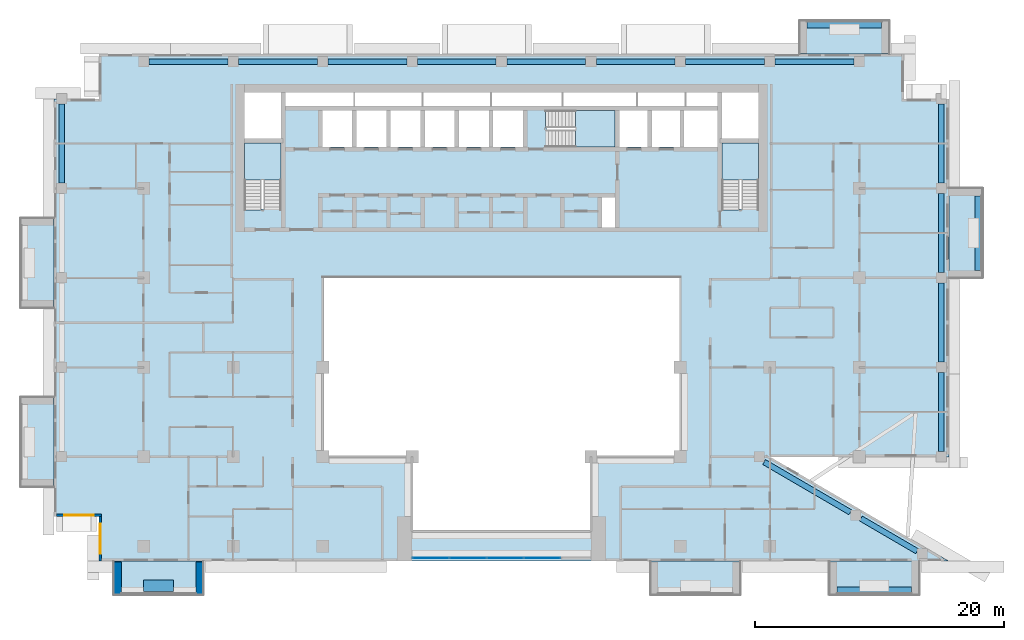
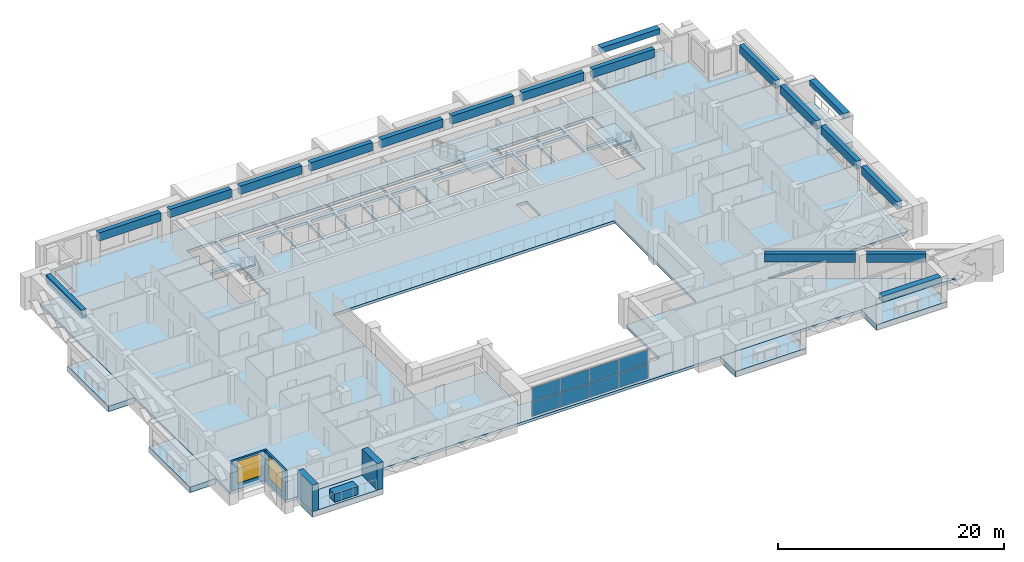
# One storey, part 5 of 20: 18 beams, 11 slabs, 8 plates, 5 walls, 2 windows, 2 openings, 4 elements without a shape of their own.
"""IFC4 building model written with IfcOpenShell, lengths in metres."""

import ifcopenshell
import ifcopenshell.guid

model = None  # the IFC model being written
_history = None  # IfcOwnerHistory: only IFC2X3 demands one
_inside = {}  # id of a spatial element -> (the spatial element, [elements in it])
_under = {}  # id of a project, library or spatial element -> (it, [spatial elements below it])
_declared = {}  # id of a project -> (the project, [libraries it declares])
_typed = {}  # id of a type object -> (the type object, [elements of that type])
_made_of = {}  # id of a material, layer set ... -> (it, [elements and type objects made of it])


def new_model(schema):
    """Start an empty IFC model of exactly this schema.

    Asked for "IFC4X3", IfcOpenShell would pick the latest addendum, in which some entities
    have other attributes; the version numbers below select the first issue.
    IFC2X3 requires an IfcOwnerHistory on every rooted entity: one is made here for all.
    """
    global model, _history
    if schema == "IFC4X3":
        model = ifcopenshell.file(schema_version=(4, 3, 0, 0))
    else:
        model = ifcopenshell.file(schema=schema)
    _inside.clear()
    _under.clear()
    _declared.clear()
    _typed.clear()
    _made_of.clear()
    _history = None
    if model.schema == "IFC2X3":
        org = make("IfcOrganization", Name="unknown")
        user = make(
            "IfcPersonAndOrganization",
            ThePerson=make("IfcPerson", FamilyName="unknown"),
            TheOrganization=org,
        )
        app = make(
            "IfcApplication",
            ApplicationDeveloper=org,
            Version="unknown",
            ApplicationFullName="unknown",
            ApplicationIdentifier="unknown",
        )
        _history = make(
            "IfcOwnerHistory",
            OwningUser=user,
            OwningApplication=app,
            ChangeAction="ADDED",
            CreationDate=0,
        )
    return model


def make(cls, **values):
    """One entity of the class cls with the attributes given. An attribute that is None is left unset."""
    return model.create_entity(
        cls, **{name: value for name, value in values.items() if value is not None}
    )


def rooted(cls, **values):
    """An entity with a GlobalId (a new one), such as an element, a storey or a relation."""
    return make(cls, GlobalId=ifcopenshell.guid.new(), OwnerHistory=_history, **values)


def si_unit(unit_type, name, prefix=None):
    """IfcSIUnit, for example si_unit("LENGTHUNIT", "METRE", prefix="MILLI")."""
    return make("IfcSIUnit", UnitType=unit_type, Prefix=prefix, Name=name)


def assignment(units):
    """IfcUnitAssignment: the units of a project."""
    return None if units is None else make("IfcUnitAssignment", Units=units)


def point(xyz):
    """IfcCartesianPoint."""
    return None if xyz is None else make("IfcCartesianPoint", Coordinates=xyz)


def direction(xyz):
    """IfcDirection."""
    return None if xyz is None else make("IfcDirection", DirectionRatios=xyz)


def frame(location, z_axis=None, x_axis=None):
    """IfcAxis2Placement3D, a coordinate frame: its origin and axes. An axis left out is left unset."""
    return make(
        "IfcAxis2Placement3D",
        Location=point(location),
        Axis=direction(z_axis),
        RefDirection=direction(x_axis),
    )


def frame_2d(location, x_axis=None):
    """IfcAxis2Placement2D, a coordinate frame in the plane: its origin and x axis."""
    return make(
        "IfcAxis2Placement2D", Location=point(location), RefDirection=direction(x_axis)
    )


def origin():
    """The frame at (0, 0, 0) with its axes left unset."""
    return frame((0.0, 0.0, 0.0))


def origin_2d():
    """The frame at (0, 0) in the plane with its x axis left unset."""
    return frame_2d((0.0, 0.0))


def place(relative_to, where):
    """IfcLocalPlacement: puts the frame where relative to a parent placement (None: the world)."""
    return make(
        "IfcLocalPlacement", PlacementRelTo=relative_to, RelativePlacement=where
    )


def context(
    kind, dimensions, precision=None, world=None, true_north=None, identifier=None
):
    """IfcGeometricRepresentationContext, for example the 3D "Model" context."""
    return make(
        "IfcGeometricRepresentationContext",
        ContextIdentifier=identifier,
        ContextType=kind,
        CoordinateSpaceDimension=dimensions,
        Precision=precision,
        WorldCoordinateSystem=world,
        TrueNorth=true_north,
    )


def subcontext(parent, identifier, kind, view, scale=None):
    """IfcGeometricRepresentationSubContext, for example "Body" below "Model"."""
    return make(
        "IfcGeometricRepresentationSubContext",
        ContextIdentifier=identifier,
        ContextType=kind,
        ParentContext=parent,
        TargetScale=scale,
        TargetView=view,
    )


def project(units=None, contexts=None):
    """IfcProject with its units and contexts."""
    return rooted(
        "IfcProject",
        Name="project",
        RepresentationContexts=contexts,
        UnitsInContext=assignment(units),
    )


def spatial(cls, under=None, at=None, **own):
    """A site, building, storey or space (cls), placed at a placement, below another one or the project."""
    s = rooted(cls, ObjectPlacement=at, **own)
    if under is not None:
        _under.setdefault(under.id(), (under, []))[1].append(s)
    return s


def polyline(points):
    """IfcPolyline through the points."""
    return make("IfcPolyline", Points=[point(p) for p in points])


def profile(cls, at=None, kind="AREA", **sizes):
    """A parametric profile (cls). Its sizes go by their IFC names, for example OverallWidth=200.0."""
    return make(cls, ProfileType=kind, Position=at, **sizes)


def rectangle(**sizes):
    """IfcRectangleProfileDef."""
    return profile("IfcRectangleProfileDef", **sizes)


def outline(outer, holes=None, kind="AREA"):
    """IfcArbitraryClosedProfileDef: a profile drawn as a closed curve; with holes, ...WithVoids."""
    if holes is None:
        return make("IfcArbitraryClosedProfileDef", ProfileType=kind, OuterCurve=outer)
    return make(
        "IfcArbitraryProfileDefWithVoids",
        ProfileType=kind,
        OuterCurve=outer,
        InnerCurves=holes,
    )


def extrude(swept, where, along, depth):
    """IfcExtrudedAreaSolid: the profile swept, set in the frame where, extruded along a direction by depth."""
    return make(
        "IfcExtrudedAreaSolid",
        SweptArea=swept,
        Position=where,
        ExtrudedDirection=direction(along),
        Depth=depth,
    )


def shape(context_of_items, identifier, shape_type, items):
    """IfcShapeRepresentation: the items that make up one representation, for example the "Body"."""
    return make(
        "IfcShapeRepresentation",
        ContextOfItems=context_of_items,
        RepresentationIdentifier=identifier,
        RepresentationType=shape_type,
        Items=items,
    )


def source(mapping_origin, context_of_items, identifier, shape_type, items):
    """IfcRepresentationMap: a shape defined once, which mapped items show again and again."""
    return make(
        "IfcRepresentationMap",
        MappingOrigin=mapping_origin,
        MappedRepresentation=shape(context_of_items, identifier, shape_type, items),
    )


def transform(
    local_origin,
    x_axis=None,
    y_axis=None,
    z_axis=None,
    scale=None,
    scale2=None,
    scale3=None,
    uniform=True,
):
    """IfcCartesianTransformationOperator3D, or its non-uniform kind. x_axis, y_axis, z_axis: its Axis1, 2, 3."""
    if uniform:
        return make(
            "IfcCartesianTransformationOperator3D",
            Axis1=direction(x_axis),
            Axis2=direction(y_axis),
            LocalOrigin=point(local_origin),
            Scale=scale,
            Axis3=direction(z_axis),
        )
    return make(
        "IfcCartesianTransformationOperator3DnonUniform",
        Axis1=direction(x_axis),
        Axis2=direction(y_axis),
        LocalOrigin=point(local_origin),
        Scale=scale,
        Axis3=direction(z_axis),
        Scale2=scale2,
        Scale3=scale3,
    )


def mapped(mapping_source, mapping_target):
    """IfcMappedItem: shows the shape of a source again, moved by a transform."""
    return make(
        "IfcMappedItem", MappingSource=mapping_source, MappingTarget=mapping_target
    )


def material(Name=None, Category=None):
    """IfcMaterial."""
    return make("IfcMaterial", Name=Name, Category=Category)


def layer(
    of_material, thickness, ventilated=None, Name=None, Category=None, Priority=None
):
    """IfcMaterialLayer: one layer of a wall or slab, of a material (None: an air gap)."""
    return make(
        "IfcMaterialLayer",
        Material=of_material,
        LayerThickness=thickness,
        IsVentilated=ventilated,
        Name=Name,
        Category=Category,
        Priority=Priority,
    )


def layer_set(layers, Name=None):
    """IfcMaterialLayerSet."""
    return make("IfcMaterialLayerSet", MaterialLayers=layers, LayerSetName=Name)


def material_profile(
    of_material, cross_section, Name=None, Category=None, Priority=None
):
    """IfcMaterialProfile: a cross section and its material."""
    return make(
        "IfcMaterialProfile",
        Name=Name,
        Material=of_material,
        Profile=cross_section,
        Priority=Priority,
        Category=Category,
    )


def profile_set(profiles, Name=None, composite=None):
    """IfcMaterialProfileSet."""
    return make(
        "IfcMaterialProfileSet",
        Name=Name,
        MaterialProfiles=profiles,
        CompositeProfile=composite,
    )


def made_of(thing, what):
    """Note that an element or type object is made of a material, layer set ...; save() writes the relation."""
    if what is not None:
        _made_of.setdefault(what.id(), (what, []))[1].append(thing)
    return thing


def type_object(cls, material=None, **own):
    """A type object (cls), such as IfcWallType, which elements share."""
    return made_of(rooted(cls, **own), material)


def element(
    cls,
    number,
    at=None,
    inside=None,
    cuts=None,
    type_object=None,
    material=None,
    context=None,
    identifier="Body",
    shape_type=None,
    held_by="IfcProductDefinitionShape",
    body=None,
    shapes=None,
    **own,
):
    """One element of the class cls, such as IfcWall. Its Tag is "e" and its number.

    at: its placement. inside: the storey or other place that contains it. cuts: it is an
    opening in that element (IfcRelVoidsElement). A single representation is given by context,
    identifier, shape_type and body (its items); several are given by shapes. held_by: the class
    of the entity that holds the representations. save() writes the other relations.
    """
    e = rooted(cls, Tag="e%d" % number, ObjectPlacement=at, **own)
    if body is not None:
        shapes = [shape(context, identifier, shape_type, body)]
    if shapes is not None:
        e.Representation = make(held_by, Representations=shapes)
    if inside is not None:
        _inside.setdefault(inside.id(), (inside, []))[1].append(e)
    if cuts is not None:
        rooted(
            "IfcRelVoidsElement", RelatingBuildingElement=cuts, RelatedOpeningElement=e
        )
    if type_object is not None:
        _typed.setdefault(type_object.id(), (type_object, []))[1].append(e)
    return made_of(e, material)


def fill(opening, filler):
    """IfcRelFillsElement: the door or window that sits in an opening."""
    return rooted(
        "IfcRelFillsElement",
        RelatingOpeningElement=opening,
        RelatedBuildingElement=filler,
    )


def aggregate(whole, parts):
    """IfcRelAggregates: a whole, such as a stair, and the parts it consists of."""
    return rooted("IfcRelAggregates", RelatingObject=whole, RelatedObjects=parts)


def save(model, path):
    """Write the relations noted so far, then the file.

    IfcRelAggregates (storeys below a building ...), IfcRelContainedInSpatialStructure (elements
    in a storey), IfcRelDefinesByType, IfcRelAssociatesMaterial and IfcRelDeclares: one each for
    every whole, place, type object, material and project.
    """
    for whole, parts in _under.values():
        aggregate(whole, parts)
    for where, things in _inside.values():
        rooted(
            "IfcRelContainedInSpatialStructure",
            RelatedElements=things,
            RelatingStructure=where,
        )
    for kind, things in _typed.values():
        rooted("IfcRelDefinesByType", RelatedObjects=things, RelatingType=kind)
    for what, things in _made_of.values():
        rooted("IfcRelAssociatesMaterial", RelatedObjects=things, RelatingMaterial=what)
    for by, libraries in _declared.values():
        rooted("IfcRelDeclares", RelatingContext=by, RelatedDefinitions=libraries)
    model.write(path)


model = new_model("IFC4")

# Units and contexts
model_context = context("Model", 3, precision=1e-05, world=origin(), true_north=direction((0.0, 1.0)))
body_context = subcontext(model_context, "Body", "Model", "MODEL_VIEW")
ifc_project = project(units=[si_unit("LENGTHUNIT", "METRE"), si_unit("AREAUNIT", "SQUARE_METRE"), si_unit("VOLUMEUNIT", "CUBIC_METRE"), si_unit("PLANEANGLEUNIT", "RADIAN"), si_unit("MASSUNIT", "GRAM", prefix="KILO")], contexts=[model_context])

# Site, building, storey
site_placement = place(None, origin())
site = spatial("IfcSite", under=ifc_project, at=site_placement, CompositionType="ELEMENT")
building_placement = place(site_placement, origin())
building = spatial("IfcBuilding", under=site, at=building_placement, Name="Saffron Iwan Residences", CompositionType="ELEMENT")
storey_placement = place(building_placement, frame((0.0, 0.0, 157.0)))
storey = spatial("IfcBuildingStorey", under=building, at=storey_placement, Name="L41", CompositionType="ELEMENT", Elevation=157.0)

# Beams
ifc_material_1 = material(Name="Concrete C50/60", Category="concrete")
ifc_material_profile_1 = material_profile(ifc_material_1, rectangle(XDim=0.449951171875, YDim=0.89990234375, at=origin_2d()), Name="RC 450x900")
ifc_profile_set_1 = profile_set([ifc_material_profile_1], Name="Concrete C50/60")
beam_type_1 = type_object("IfcBeamType", Name="SPANDREL BEAM RC 450x900 C50/60 TOP 3200", PredefinedType="SPANDREL", material=ifc_profile_set_1)
shared_shape_1 = source(origin(), body_context, "Body", "SweptSolid", [
    extrude(rectangle(XDim=0.449951171875, YDim=0.89990234375, at=origin_2d()), origin(), (0.0, 0.0, 1.0), 5.24267578125),
])
beam_1_placement = place(storey_placement, frame((79.32275390625, 43.03369140625, 2.75), z_axis=(0.863783967805, -0.503862339299, 0.0), x_axis=(0.503862339299, 0.863783967805, 0.0)))
element("IfcBeam", 1, at=beam_1_placement, inside=storey, type_object=beam_type_1, Name="Spandrel beam", PredefinedType="SPANDREL", context=body_context, shape_type="MappedRepresentation", body=[
    mapped(shared_shape_1, transform((0.0, 0.0, 0.0))),
])
shared_shape_2 = source(origin(), body_context, "Body", "SweptSolid", [
    extrude(rectangle(XDim=0.449951171875, YDim=0.89990234375, at=origin_2d()), origin(), (0.0, 0.0, 1.0), 8.028564453125),
])
beam_2_placement = place(storey_placement, frame((71.537841796875, 47.574951171875, 2.75), z_axis=(0.863773386225, -0.503880479132, 0.0), x_axis=(0.503880479132, 0.863773386225, 0.0)))
element("IfcBeam", 2, at=beam_2_placement, inside=storey, type_object=beam_type_1, Name="Spandrel beam", PredefinedType="SPANDREL", context=body_context, shape_type="MappedRepresentation", body=[
    mapped(shared_shape_2, transform((0.0, 0.0, 0.0))),
])
shared_shape_3 = source(origin(), body_context, "Body", "SweptSolid", [
    extrude(rectangle(XDim=0.449951171875, YDim=0.89990234375, at=origin_2d()), origin(), (0.0, 0.0, 1.0), 6.349853515625),
])
for number, where, z_axis, x_axis, name in (
    (3, (85.800048828125, 54.77490234375, 2.75), (0.0, -1.0, 0.0), (1.0, 0.0, 0.0), "Spandrel beam"),
    (4, (29.22509765625, 79.800048828125, 2.75), (1.0, 0.0, 0.0), (0.0, 1.0, 0.0), "Spandrel beam"),
    (5, (36.425048828125, 79.800048828125, 2.75), (1.0, 0.0, 0.0), (0.0, 1.0, 0.0), "Spandrel beam"),
    (6, (65.22509765625, 79.800048828125, 2.75), (1.0, 0.0, 0.0), (0.0, 1.0, 0.0), "Spandrel beam"),
    (7, (72.425048828125, 79.800048828125, 2.75), (1.0, 0.0, 0.0), (0.0, 1.0, 0.0), "Spandrel beam"),
):
    element("IfcBeam", number, at=place(storey_placement, frame(where, z_axis=z_axis, x_axis=x_axis)), inside=storey, type_object=beam_type_1, Name=name, PredefinedType="SPANDREL", context=body_context, shape_type="MappedRepresentation", body=[
        mapped(shared_shape_3, transform((0.0, 0.0, 0.0))),
    ])
shared_shape_4 = source(origin(), body_context, "Body", "SweptSolid", [
    extrude(rectangle(XDim=0.449951171875, YDim=0.89990234375, at=origin_2d()), origin(), (0.0, 0.0, 1.0), 6.35009765625),
])
for number, where, z_axis, x_axis, name in (
    (8, (85.800048828125, 61.97509765625, 2.75), (0.0, -1.0, 0.0), (1.0, 0.0, 0.0), "Spandrel beam"),
    (9, (85.800048828125, 69.175048828125, 2.75), (0.0, -1.0, 0.0), (1.0, 0.0, 0.0), "Spandrel beam"),
    (10, (15.0, 70.02490234375, 2.75), (0.0, 1.0, 0.0), (-1.0, 0.0, 0.0), "Spandrel beam"),
    (11, (85.800048828125, 76.375, 2.75), (0.0, -1.0, 0.0), (1.0, 0.0, 0.0), "Spandrel beam"),
    (12, (22.02490234375, 79.800048828125, 2.75), (1.0, 0.0, 0.0), (0.0, 1.0, 0.0), "Spandrel beam"),
    (13, (43.625, 79.800048828125, 2.75), (1.0, 0.0, 0.0), (0.0, 1.0, 0.0), "Spandrel beam"),
    (14, (50.824951171875, 79.800048828125, 2.75), (1.0, 0.0, 0.0), (0.0, 1.0, 0.0), "Spandrel beam"),
    (15, (58.02490234375, 79.800048828125, 2.75), (1.0, 0.0, 0.0), (0.0, 1.0, 0.0), "Spandrel beam"),
):
    element("IfcBeam", number, at=place(storey_placement, frame(where, z_axis=z_axis, x_axis=x_axis)), inside=storey, type_object=beam_type_1, Name=name, PredefinedType="SPANDREL", context=body_context, shape_type="MappedRepresentation", body=[
        mapped(shared_shape_4, transform((0.0, 0.0, 0.0))),
    ])
ifc_material_2 = material(Name="Concrete C50/60 white painted", Category="concrete")
ifc_material_profile_2 = material_profile(ifc_material_2, rectangle(XDim=0.60009765625, YDim=0.60009765625, at=origin_2d()), Name="BALCONY FASCIA BEAM 600 x 600")
ifc_profile_set_2 = profile_set([ifc_material_profile_2], Name="Concrete C50/60 white painted")
beam_type_2 = type_object("IfcBeamType", Name="BALCONY FASCIA BEAM 600 x 600", PredefinedType="BEAM", material=ifc_profile_set_2)
shared_shape_5 = source(origin(), body_context, "Body", "SweptSolid", [
    extrude(rectangle(XDim=0.60009765625, YDim=0.60009765625, at=origin_2d()), origin(), (0.0, 0.0, 1.0), 6.0),
])
for number, where, z_axis, x_axis, name in (
    (16, (88.800048828125, 63.0, 2.550048828125), (0.0, 1.0, 0.0), (-1.0, 0.0, 0.0), "Balcony fascia beam L41 F2-0"),
    (17, (81.0, 82.800048828125, 2.550048828125), (-1.0, 0.0, 0.0), (0.0, -1.0, 0.0), "Balcony fascia beam L41 F5-0"),
    (18, (77.39990234375, 37.199951171875, 2.550048828125), (1.0, 0.0, 0.0), (0.0, 1.0, 0.0), "Balcony fascia beam L41 11-3"),
):
    element("IfcBeam", number, at=place(storey_placement, frame(where, z_axis=z_axis, x_axis=x_axis)), inside=storey, type_object=beam_type_2, Name=name, PredefinedType="BEAM", context=body_context, shape_type="MappedRepresentation", body=[
        mapped(shared_shape_5, transform((0.0, 0.0, 0.0))),
    ])

# Slabs
ifc_layer_1 = layer(ifc_material_2, 0.60009765625)
ifc_layer_set_1 = layer_set([ifc_layer_1], Name="Concrete C50/60 white painted")
slab_type_1 = type_object("IfcSlabType", Name="BALCONY FRAME SLAB 600", PredefinedType="FLOOR", material=ifc_layer_set_1)
slab_1_placement = place(storey_placement, frame((0.0, 0.0, -0.60009765625)))
element("IfcSlab", 19, at=slab_1_placement, inside=storey, type_object=slab_type_1, Name="Balcony frame slab L41 F2-0", PredefinedType="FLOOR", context=body_context, shape_type="SweptSolid", body=[
    extrude(outline(polyline([(89.10009765625, 62.39990234375), (89.10009765625, 69.60009765625), (86.39990234375, 69.60009765625), (86.39990234375, 62.39990234375), (89.10009765625, 62.39990234375)])), origin(), (0.0, 0.0, 1.0), 0.60009765625),
])
slab_2_placement = place(storey_placement, frame((0.0, 0.0, -0.60009765625)))
element("IfcSlab", 20, at=slab_2_placement, inside=storey, type_object=slab_type_1, Name="Balcony frame slab L41 F5-0", PredefinedType="FLOOR", context=body_context, shape_type="SweptSolid", body=[
    extrude(outline(polyline([(81.60009765625, 83.10009765625), (74.39990234375, 83.10009765625), (74.39990234375, 80.39990234375), (81.60009765625, 80.39990234375), (81.60009765625, 83.10009765625)])), origin(), (0.0, 0.0, 1.0), 0.60009765625),
])
slab_3_placement = place(storey_placement, frame((0.0, 0.0, -0.60009765625)))
element("IfcSlab", 21, at=slab_3_placement, inside=storey, type_object=slab_type_1, Name="Balcony frame slab L41 F8-0", PredefinedType="FLOOR", context=body_context, shape_type="SweptSolid", body=[
    extrude(outline(polyline([(11.699951171875, 67.199951171875), (11.699951171875, 60.0), (14.39990234375, 60.0), (14.39990234375, 67.199951171875), (11.699951171875, 67.199951171875)])), origin(), (0.0, 0.0, 1.0), 0.60009765625),
])
slab_4_placement = place(storey_placement, frame((0.0, 0.0, -0.60009765625)))
element("IfcSlab", 22, at=slab_4_placement, inside=storey, type_object=slab_type_1, Name="Balcony frame slab L41 F8-1", PredefinedType="FLOOR", context=body_context, shape_type="SweptSolid", body=[
    extrude(outline(polyline([(11.699951171875, 52.800048828125), (11.699951171875, 45.60009765625), (14.39990234375, 45.60009765625), (14.39990234375, 52.800048828125), (11.699951171875, 52.800048828125)])), origin(), (0.0, 0.0, 1.0), 0.60009765625),
])
slab_5_placement = place(storey_placement, frame((0.0, 0.0, -0.60009765625)))
element("IfcSlab", 23, at=slab_5_placement, inside=storey, type_object=slab_type_1, Name="Balcony frame slab L41 11-0", PredefinedType="FLOOR", context=body_context, shape_type="SweptSolid", body=[
    extrude(outline(polyline([(19.199951171875, 36.89990234375), (26.39990234375, 36.89990234375), (26.39990234375, 39.60009765625), (19.199951171875, 39.60009765625), (19.199951171875, 36.89990234375)])), origin(), (0.0, 0.0, 1.0), 0.60009765625),
])
slab_6_placement = place(storey_placement, frame((0.0, 0.0, -0.60009765625)))
element("IfcSlab", 24, at=slab_6_placement, inside=storey, type_object=slab_type_1, Name="Balcony frame slab L41 11-2", PredefinedType="FLOOR", context=body_context, shape_type="SweptSolid", body=[
    extrude(outline(polyline([(62.39990234375, 36.89990234375), (69.60009765625, 36.89990234375), (69.60009765625, 39.60009765625), (62.39990234375, 39.60009765625), (62.39990234375, 36.89990234375)])), origin(), (0.0, 0.0, 1.0), 0.60009765625),
])
slab_7_placement = place(storey_placement, frame((0.0, 0.0, -0.60009765625)))
element("IfcSlab", 25, at=slab_7_placement, inside=storey, type_object=slab_type_1, Name="Balcony frame slab L41 11-3", PredefinedType="FLOOR", context=body_context, shape_type="SweptSolid", body=[
    extrude(outline(polyline([(76.800048828125, 36.89990234375), (84.0, 36.89990234375), (84.0, 39.60009765625), (76.800048828125, 39.60009765625), (76.800048828125, 36.89990234375)])), origin(), (0.0, 0.0, 1.0), 0.60009765625),
])
ifc_material_3 = material(Name="Concrete C40/50", Category="concrete")
ifc_layer_2 = layer(ifc_material_3, 0.300048828125)
ifc_layer_set_2 = layer_set([ifc_layer_2], Name="Concrete C40/50")
slab_type_2 = type_object("IfcSlabType", Name="PT PLATE 300 C40/50", PredefinedType="FLOOR", material=ifc_layer_set_2)
slab_8_placement = place(storey_placement, frame((0.0, 0.0, -0.300048828125)))
element("IfcSlab", 26, at=slab_8_placement, inside=storey, type_object=slab_type_2, Name="Floor slab L41", PredefinedType="FLOOR", context=body_context, shape_type="SweptSolid", body=[
    extrude(outline(polyline([(14.39990234375, 43.199951171875), (14.39990234375, 76.800048828125), (18.0, 76.800048828125), (18.0, 80.39990234375), (82.800048828125, 80.39990234375), (82.800048828125, 76.800048828125), (86.39990234375, 76.800048828125), (86.39990234375, 48.0), (72.0, 48.0), (86.39990234375, 39.60009765625), (18.0, 39.60009765625), (18.0, 43.199951171875), (14.39990234375, 43.199951171875)]), holes=[polyline([(64.800048828125, 48.0), (64.800048828125, 62.39990234375), (36.0, 62.39990234375), (36.0, 48.0), (43.199951171875, 48.0), (43.199951171875, 42.0), (57.60009765625, 42.0), (57.60009765625, 48.0), (64.800048828125, 48.0)]), polyline([(29.699951171875, 73.25), (29.699951171875, 67.949951171875), (29.699951171875, 67.8505859375), (31.10009765625, 67.8505859375), (31.10009765625, 67.949951171875), (32.64990234375, 67.949951171875), (32.64990234375, 73.25), (29.699951171875, 73.25)]), polyline([(38.375, 75.875), (35.97509765625, 75.875), (35.97509765625, 72.925048828125), (38.375, 72.925048828125), (38.375, 75.875)]), polyline([(41.125, 75.875), (38.72509765625, 75.875), (38.72509765625, 72.925048828125), (41.125, 72.925048828125), (41.125, 75.875)]), polyline([(43.875, 72.925048828125), (43.875, 75.875), (41.47509765625, 75.875), (41.47509765625, 72.925048828125), (43.875, 72.925048828125)]), polyline([(46.625, 72.925048828125), (46.625, 75.875), (44.22509765625, 75.875), (44.22509765625, 72.925048828125), (46.625, 72.925048828125)]), polyline([(49.375, 75.875), (46.97509765625, 75.875), (46.97509765625, 72.925048828125), (49.375, 72.925048828125), (49.375, 75.875)]), polyline([(52.125, 72.925048828125), (52.125, 75.875), (49.72509765625, 75.875), (49.72509765625, 72.925048828125), (52.125, 72.925048828125)]), polyline([(32.64990234375, 73.60009765625), (32.64990234375, 77.300048828125), (29.699951171875, 77.300048828125), (29.699951171875, 73.60009765625), (32.64990234375, 73.60009765625)]), polyline([(38.5, 77.300048828125), (33.0, 77.300048828125), (33.0, 76.22509765625), (38.5, 76.22509765625), (38.5, 77.300048828125)]), polyline([(44.0, 76.22509765625), (44.0, 77.300048828125), (38.60009765625, 77.300048828125), (38.60009765625, 76.22509765625), (44.0, 76.22509765625)]), polyline([(49.5, 76.22509765625), (49.5, 77.300048828125), (44.10009765625, 77.300048828125), (44.10009765625, 76.22509765625), (49.5, 76.22509765625)]), polyline([(59.550048828125, 68.875), (58.47509765625, 68.875), (58.47509765625, 66.449951171875), (59.550048828125, 66.449951171875), (59.550048828125, 68.875)]), polyline([(68.14990234375, 73.25), (68.14990234375, 67.949951171875), (68.14990234375, 67.8505859375), (69.550048828125, 67.8505859375), (69.550048828125, 67.949951171875), (71.10009765625, 67.949951171875), (71.10009765625, 73.25), (68.14990234375, 73.25)]), polyline([(54.02490234375, 74.47509765625), (54.02490234375, 72.925048828125), (59.550048828125, 72.925048828125), (59.550048828125, 75.875), (54.02490234375, 75.875), (53.925537109375, 75.875), (53.925537109375, 74.47509765625), (54.02490234375, 74.47509765625)]), polyline([(62.14990234375, 72.925048828125), (62.14990234375, 75.875), (59.89990234375, 75.875), (59.89990234375, 72.925048828125), (62.14990234375, 72.925048828125)]), polyline([(64.75, 72.925048828125), (64.75, 75.875), (62.5, 75.875), (62.5, 72.925048828125), (64.75, 72.925048828125)]), polyline([(67.800048828125, 75.875), (65.10009765625, 75.875), (65.10009765625, 72.925048828125), (67.800048828125, 72.925048828125), (67.800048828125, 75.875)]), polyline([(71.10009765625, 73.60009765625), (71.10009765625, 77.300048828125), (68.14990234375, 77.300048828125), (68.14990234375, 73.60009765625), (71.10009765625, 73.60009765625)]), polyline([(55.25, 76.22509765625), (55.25, 77.300048828125), (49.60009765625, 77.300048828125), (49.60009765625, 76.22509765625), (55.25, 76.22509765625)]), polyline([(61.25, 77.300048828125), (55.35009765625, 77.300048828125), (55.35009765625, 76.22509765625), (61.25, 76.22509765625), (61.25, 77.300048828125)]), polyline([(65.14990234375, 76.22509765625), (65.14990234375, 77.300048828125), (61.35009765625, 77.300048828125), (61.35009765625, 76.22509765625), (65.14990234375, 76.22509765625)]), polyline([(67.800048828125, 76.22509765625), (67.800048828125, 77.300048828125), (65.25, 77.300048828125), (65.25, 76.22509765625), (67.800048828125, 76.22509765625)])]), origin(), (0.0, 0.0, 1.0), 0.300048828125),
])

# Stair, slab
stair_type = type_object("IfcStairType", Name="Stair ST-CORE", PredefinedType="HALF_TURN_STAIR", material=ifc_material_1)
stair_1_placement = place(storey_placement, origin())
stair_1 = element("IfcStair", 27, at=stair_1_placement, inside=storey, type_object=stair_type, Name="L41 Exit Stair ST-W", PredefinedType="HALF_TURN_STAIR")
ifc_layer_3 = layer(ifc_material_1, 0.199951171875)
ifc_layer_set_3 = layer_set([ifc_layer_3], Name="Concrete C50/60")
slab_type_3 = type_object("IfcSlabType", Name="Stair landing SL-RC", PredefinedType="LANDING", material=ifc_layer_set_3)
slab_9_placement = place(storey_placement, frame((0.0, 0.0, 1.5498046875)))
slab_9 = element("IfcSlab", 28, at=slab_9_placement, type_object=slab_type_3, Name="ST-W landing 1", PredefinedType="LANDING", context=body_context, shape_type="SweptSolid", body=[
    extrude(outline(polyline([(32.64990234375, 70.280029296875), (32.64990234375, 73.25), (29.699951171875, 73.25), (29.699951171875, 70.280029296875), (32.64990234375, 70.280029296875)])), origin(), (0.0, 0.0, 1.0), 0.2001953125),
])
aggregate(stair_1, [slab_9])

stair_2_placement = place(storey_placement, origin())
stair_2 = element("IfcStair", 29, at=stair_2_placement, inside=storey, type_object=stair_type, Name="L41 Exit Stair ST-C", PredefinedType="HALF_TURN_STAIR")
slab_10_placement = place(storey_placement, frame((0.0, 0.0, 1.5498046875)))
slab_10 = element("IfcSlab", 30, at=slab_10_placement, type_object=slab_type_3, Name="ST-C landing 1", PredefinedType="LANDING", context=body_context, shape_type="SweptSolid", body=[
    extrude(outline(polyline([(56.35498046875, 72.925048828125), (59.550048828125, 72.925048828125), (59.550048828125, 75.875), (56.35498046875, 75.875), (56.35498046875, 72.925048828125)])), origin(), (0.0, 0.0, 1.0), 0.2001953125),
])
aggregate(stair_2, [slab_10])

stair_3_placement = place(storey_placement, origin())
stair_3 = element("IfcStair", 31, at=stair_3_placement, inside=storey, type_object=stair_type, Name="L41 Exit Stair ST-E", PredefinedType="HALF_TURN_STAIR")
slab_11_placement = place(storey_placement, frame((0.0, 0.0, 1.5498046875)))
slab_11 = element("IfcSlab", 32, at=slab_11_placement, type_object=slab_type_3, Name="ST-E landing 1", PredefinedType="LANDING", context=body_context, shape_type="SweptSolid", body=[
    extrude(outline(polyline([(71.10009765625, 70.280029296875), (71.10009765625, 73.25), (68.14990234375, 73.25), (68.14990234375, 70.280029296875), (71.10009765625, 70.280029296875)])), origin(), (0.0, 0.0, 1.0), 0.2001953125),
])
aggregate(stair_3, [slab_11])

# Curtain wall, plates
ifc_material_4 = material(Name="Clear glass, laminated double glazed", Category="glass")
ifc_layer_4 = layer(ifc_material_4, 0.199951171875)
ifc_layer_set_4 = layer_set([ifc_layer_4], Name="Clear glass, laminated double glazed")
curtain_wall_type = type_object("IfcCurtainWallType", Name="CW-B IWAN PORTAL", PredefinedType="NOTDEFINED", material=ifc_layer_set_4)
curtain_wall_placement = place(storey_placement, origin())
curtain_wall = element("IfcCurtainWall", 33, at=curtain_wall_placement, inside=storey, type_object=curtain_wall_type, Name="Iwan portal glazing L41.1", PredefinedType="NOTDEFINED")
ifc_layer_5 = layer(ifc_material_4, 0.028076171875)
ifc_layer_set_5 = layer_set([ifc_layer_5], Name="Clear glass, laminated double glazed")
plate_type = type_object("IfcPlateType", Name="CW-B PANEL 28", PredefinedType="CURTAIN_PANEL", material=ifc_layer_set_5)
shared_shape_6 = source(origin(), body_context, "Body", "SweptSolid", [
    extrude(rectangle(XDim=2.909912109375, YDim=0.028076171875, at=origin_2d()), origin(), (0.0, 0.0, 1.0), 1.510009765625),
])
plate_1_placement = place(storey_placement, frame((44.715087890625, 39.85009765625, 0.06005859375), z_axis=(0.0, 0.0, 1.0), x_axis=(1.0, 0.0, 0.0)))
plate_1 = element("IfcPlate", 34, at=plate_1_placement, type_object=plate_type, Name="CW-B panel 1.1", PredefinedType="CURTAIN_PANEL", context=body_context, shape_type="MappedRepresentation", body=[
    mapped(shared_shape_6, transform((0.0, 0.0, 0.0))),
])
plate_2_placement = place(storey_placement, frame((44.715087890625, 39.85009765625, 1.6298828125), z_axis=(0.0, 0.0, 1.0), x_axis=(1.0, 0.0, 0.0)))
plate_2 = element("IfcPlate", 35, at=plate_2_placement, type_object=plate_type, Name="CW-B panel 1.2", PredefinedType="CURTAIN_PANEL", context=body_context, shape_type="MappedRepresentation", body=[
    mapped(shared_shape_6, transform((0.0, 0.0, 0.0))),
])
plate_3_placement = place(storey_placement, frame((53.68505859375, 39.85009765625, 0.06005859375), z_axis=(0.0, 0.0, 1.0), x_axis=(1.0, 0.0, 0.0)))
plate_3 = element("IfcPlate", 36, at=plate_3_placement, type_object=plate_type, Name="CW-B panel 4.1", PredefinedType="CURTAIN_PANEL", context=body_context, shape_type="MappedRepresentation", body=[
    mapped(shared_shape_6, transform((0.0, 0.0, 0.0))),
])
plate_4_placement = place(storey_placement, frame((53.68505859375, 39.85009765625, 1.6298828125), z_axis=(0.0, 0.0, 1.0), x_axis=(1.0, 0.0, 0.0)))
plate_4 = element("IfcPlate", 37, at=plate_4_placement, type_object=plate_type, Name="CW-B panel 4.2", PredefinedType="CURTAIN_PANEL", context=body_context, shape_type="MappedRepresentation", body=[
    mapped(shared_shape_6, transform((0.0, 0.0, 0.0))),
])
shared_shape_7 = source(origin(), body_context, "Body", "SweptSolid", [
    extrude(rectangle(XDim=2.93994140625, YDim=0.028076171875, at=origin_2d()), origin(), (0.0, 0.0, 1.0), 1.510009765625),
])
plate_5_placement = place(storey_placement, frame((47.699951171875, 39.85009765625, 0.06005859375), z_axis=(0.0, 0.0, 1.0), x_axis=(1.0, 0.0, 0.0)))
plate_5 = element("IfcPlate", 38, at=plate_5_placement, type_object=plate_type, Name="CW-B panel 2.1", PredefinedType="CURTAIN_PANEL", context=body_context, shape_type="MappedRepresentation", body=[
    mapped(shared_shape_7, transform((0.0, 0.0, 0.0))),
])
plate_6_placement = place(storey_placement, frame((47.699951171875, 39.85009765625, 1.6298828125), z_axis=(0.0, 0.0, 1.0), x_axis=(1.0, 0.0, 0.0)))
plate_6 = element("IfcPlate", 39, at=plate_6_placement, type_object=plate_type, Name="CW-B panel 2.2", PredefinedType="CURTAIN_PANEL", context=body_context, shape_type="MappedRepresentation", body=[
    mapped(shared_shape_7, transform((0.0, 0.0, 0.0))),
])
plate_7_placement = place(storey_placement, frame((50.699951171875, 39.85009765625, 0.06005859375), z_axis=(0.0, 0.0, 1.0), x_axis=(1.0, 0.0, 0.0)))
plate_7 = element("IfcPlate", 40, at=plate_7_placement, type_object=plate_type, Name="CW-B panel 3.1", PredefinedType="CURTAIN_PANEL", context=body_context, shape_type="MappedRepresentation", body=[
    mapped(shared_shape_7, transform((0.0, 0.0, 0.0))),
])
plate_8_placement = place(storey_placement, frame((50.699951171875, 39.85009765625, 1.6298828125), z_axis=(0.0, 0.0, 1.0), x_axis=(1.0, 0.0, 0.0)))
plate_8 = element("IfcPlate", 41, at=plate_8_placement, type_object=plate_type, Name="CW-B panel 3.2", PredefinedType="CURTAIN_PANEL", context=body_context, shape_type="MappedRepresentation", body=[
    mapped(shared_shape_7, transform((0.0, 0.0, 0.0))),
])
aggregate(curtain_wall, [plate_1, plate_2, plate_5, plate_6, plate_7, plate_8, plate_3, plate_4])

# Walls
ifc_layer_6 = layer(ifc_material_2, 0.60009765625)
ifc_layer_set_6 = layer_set([ifc_layer_6], Name="Concrete C50/60 white painted")
wall_type_1 = type_object("IfcWallType", Name="BALCONY FIN 600", PredefinedType="SOLIDWALL", material=ifc_layer_set_6)
for number, where, z_axis, x_axis, name in (
    (42, (19.5, 39.550048828125, 0.0), (0.0, 0.0, 1.0), (0.0, -1.0, 0.0), "Balcony fin L41 11-0a"),
    (43, (26.10009765625, 39.550048828125, 0.0), (0.0, 0.0, 1.0), (0.0, -1.0, 0.0), "Balcony fin L41 11-0b"),
):
    element("IfcWall", number, at=place(storey_placement, frame(where, z_axis=z_axis, x_axis=x_axis)), inside=storey, type_object=wall_type_1, Name=name, PredefinedType="SOLIDWALL", context=body_context, shape_type="SweptSolid", body=[
        extrude(rectangle(XDim=2.650146484375, YDim=0.60009765625, at=frame_2d((1.3251953125, 0.0))), origin(), (0.0, 0.0, 1.0), 2.85009765625),
    ])
ifc_material_5 = material(Name="Concrete C35/45 white painted", Category="concrete")
ifc_layer_7 = layer(ifc_material_5, 0.14990234375)
ifc_layer_set_7 = layer_set([ifc_layer_7], Name="Concrete C35/45 white painted")
wall_type_2 = type_object("IfcWallType", Name="BALCONY PLANTER", PredefinedType="SOLIDWALL", material=ifc_layer_set_7)
wall_1_placement = place(storey_placement, frame((21.60009765625, 37.625, 0.0), z_axis=(0.0, 0.0, 1.0), x_axis=(1.0, 0.0, 0.0)))
element("IfcWall", 44, at=wall_1_placement, inside=storey, type_object=wall_type_2, Name="PLANTER L41 11-0", PredefinedType="SOLIDWALL", context=body_context, shape_type="SweptSolid", body=[
    extrude(rectangle(XDim=2.39990234375, YDim=0.89990234375, at=frame_2d((1.199951171875, 0.0))), origin(), (0.0, 0.0, 1.0), 0.89990234375),
])

# Wall, opening, window
ifc_layer_8 = layer(ifc_material_3, 0.199951171875)
ifc_layer_set_8 = layer_set([ifc_layer_8], Name="Concrete C40/50")
wall_type_3 = type_object("IfcWallType", Name="EXTERNAL WALL 200", PredefinedType="SOLIDWALL", material=ifc_layer_set_8)
wall_2_placement = place(storey_placement, frame((14.60009765625, 43.300048828125, 0.0), z_axis=(0.0, 0.0, 1.0), x_axis=(1.0, 0.0, 0.0)))
wall_2 = element("IfcWall", 45, at=wall_2_placement, inside=storey, type_object=wall_type_3, Name="External wall L41 F9.0", PredefinedType="SOLIDWALL", context=body_context, shape_type="SweptSolid", body=[
    extrude(rectangle(XDim=3.599853515625, YDim=0.199951171875, at=frame_2d((1.7998046875, 0.0))), origin(), (0.0, 0.0, 1.0), 3.199951171875),
])
opening_1_placement = place(wall_2_placement, frame((0.60009765625, 0.0, 0.60009765625)))
opening_1 = element("IfcOpeningElement", 46, at=opening_1_placement, cuts=wall_2, Name="Opening W1", PredefinedType="OPENING", context=body_context, shape_type="SweptSolid", body=[
    extrude(rectangle(XDim=2.39990234375, YDim=2.39990234375, at=frame_2d((1.199951171875, 1.199951171875))), frame((0.0, 0.10986328125, 0.0), z_axis=(0.0, -1.0, 0.0), x_axis=(1.0, 0.0, 0.0)), (0.0, 0.0, 1.0), 0.219970703125),
])
window_type = type_object("IfcWindowType", Name="WINDOW 2400 x 2400", PartitioningType="DOUBLE_PANEL_VERTICAL", PredefinedType="WINDOW", material=ifc_material_4)
window_1_placement = place(opening_1_placement, origin())
window_1 = element("IfcWindow", 47, at=window_1_placement, inside=storey, type_object=window_type, Name="Window L41 F9.0", OverallHeight=2.39990234375, OverallWidth=2.39990234375, PartitioningType="DOUBLE_PANEL_VERTICAL", PredefinedType="WINDOW", context=body_context, shape_type="SweptSolid", body=[
    extrude(rectangle(XDim=2.39990234375, YDim=2.39990234375, at=frame_2d((1.199951171875, 1.199951171875))), frame((0.0, 0.030029296875, 0.0), z_axis=(0.0, -1.0, 0.0), x_axis=(1.0, 0.0, 0.0)), (0.0, 0.0, 1.0), 0.06005859375),
])
fill(opening_1, window_1)

wall_3_placement = place(storey_placement, frame((18.10009765625, 43.199951171875, 0.0), z_axis=(0.0, 0.0, 1.0), x_axis=(0.0, -1.0, 0.0)))
wall_3 = element("IfcWall", 48, at=wall_3_placement, inside=storey, type_object=wall_type_3, Name="External wall L41 F10.0", PredefinedType="SOLIDWALL", context=body_context, shape_type="SweptSolid", body=[
    extrude(rectangle(XDim=3.599853515625, YDim=0.199951171875, at=frame_2d((1.7998046875, 0.0))), origin(), (0.0, 0.0, 1.0), 3.199951171875),
])
opening_2_placement = place(wall_3_placement, frame((0.60009765625, 0.0, 0.60009765625)))
opening_2 = element("IfcOpeningElement", 49, at=opening_2_placement, cuts=wall_3, Name="Opening W1", PredefinedType="OPENING", context=body_context, shape_type="SweptSolid", body=[
    extrude(rectangle(XDim=2.39990234375, YDim=2.39990234375, at=frame_2d((1.199951171875, 1.199951171875))), frame((0.0, 0.10986328125, 0.0), z_axis=(0.0, -1.0, 0.0), x_axis=(1.0, 0.0, 0.0)), (0.0, 0.0, 1.0), 0.219970703125),
])
window_2_placement = place(opening_2_placement, origin())
window_2 = element("IfcWindow", 50, at=window_2_placement, inside=storey, type_object=window_type, Name="Window L41 F10.0", OverallHeight=2.39990234375, OverallWidth=2.39990234375, PartitioningType="DOUBLE_PANEL_VERTICAL", PredefinedType="WINDOW", context=body_context, shape_type="SweptSolid", body=[
    extrude(rectangle(XDim=2.39990234375, YDim=2.39990234375, at=frame_2d((1.199951171875, 1.199951171875))), frame((0.0, 0.030029296875, 0.0), z_axis=(0.0, -1.0, 0.0), x_axis=(1.0, 0.0, 0.0)), (0.0, 0.0, 1.0), 0.06005859375),
])
fill(opening_2, window_2)

save(model, "model.ifc")
